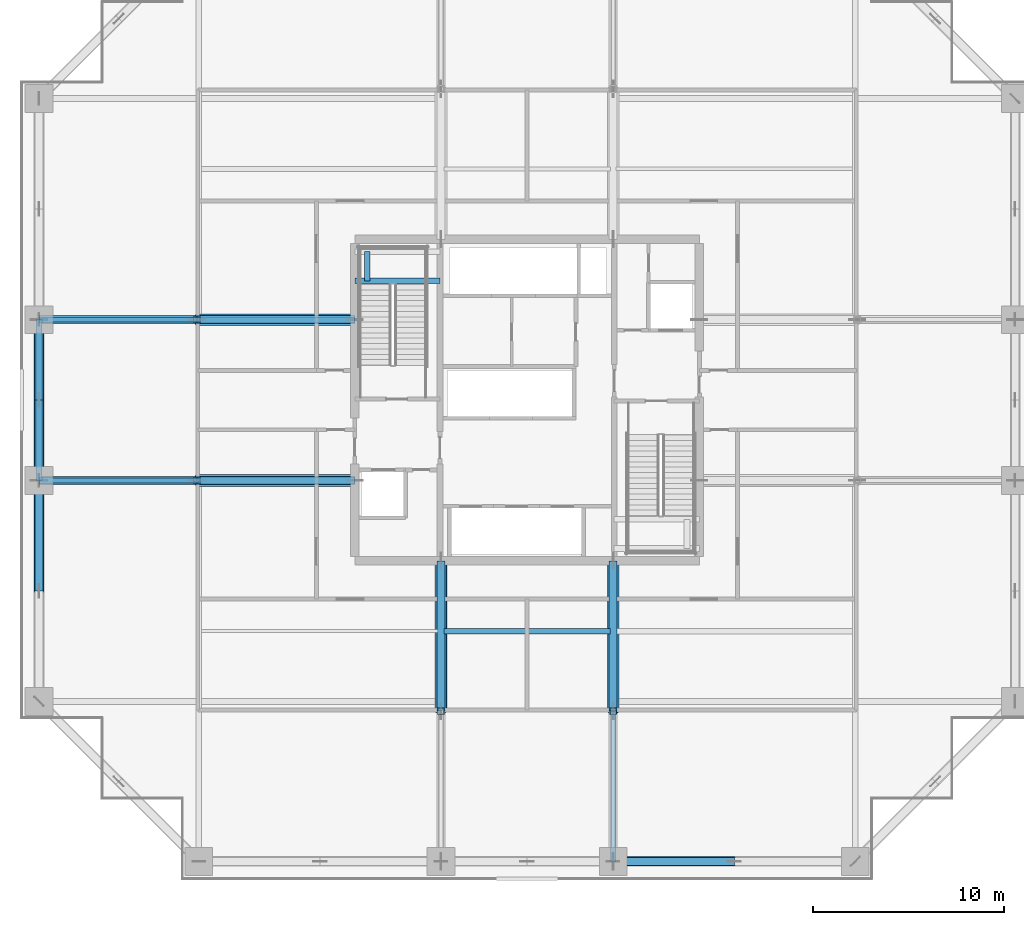
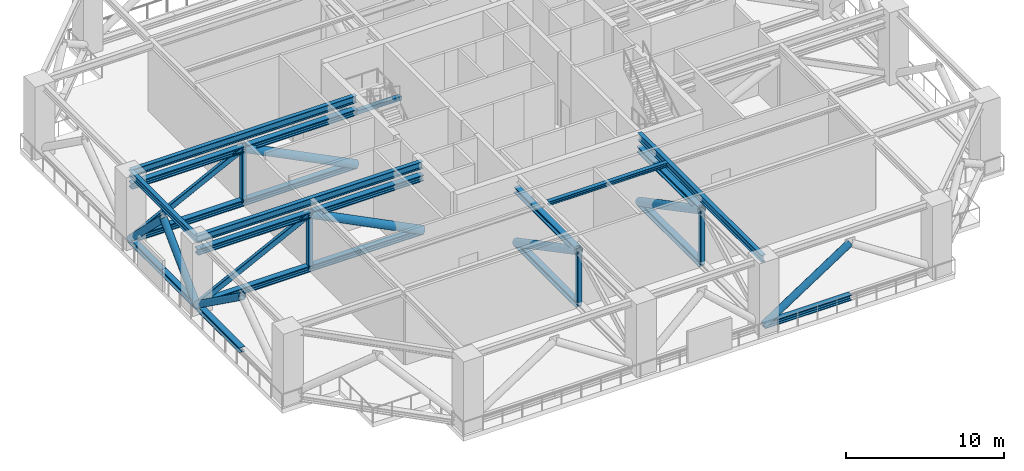
# One storey, part 2 of 21: 30 members, 7 beams.
"""IFC4 building model written with IfcOpenShell, lengths in metres."""

import ifcopenshell
import ifcopenshell.guid

model = None  # the IFC model being written
_history = None  # IfcOwnerHistory: only IFC2X3 demands one
_inside = {}  # id of a spatial element -> (the spatial element, [elements in it])
_under = {}  # id of a project, library or spatial element -> (it, [spatial elements below it])
_declared = {}  # id of a project -> (the project, [libraries it declares])
_typed = {}  # id of a type object -> (the type object, [elements of that type])
_made_of = {}  # id of a material, layer set ... -> (it, [elements and type objects made of it])


def new_model(schema):
    """Start an empty IFC model of exactly this schema.

    Asked for "IFC4X3", IfcOpenShell would pick the latest addendum, in which some entities
    have other attributes; the version numbers below select the first issue.
    IFC2X3 requires an IfcOwnerHistory on every rooted entity: one is made here for all.
    """
    global model, _history
    if schema == "IFC4X3":
        model = ifcopenshell.file(schema_version=(4, 3, 0, 0))
    else:
        model = ifcopenshell.file(schema=schema)
    _inside.clear()
    _under.clear()
    _declared.clear()
    _typed.clear()
    _made_of.clear()
    _history = None
    if model.schema == "IFC2X3":
        org = make("IfcOrganization", Name="unknown")
        user = make(
            "IfcPersonAndOrganization",
            ThePerson=make("IfcPerson", FamilyName="unknown"),
            TheOrganization=org,
        )
        app = make(
            "IfcApplication",
            ApplicationDeveloper=org,
            Version="unknown",
            ApplicationFullName="unknown",
            ApplicationIdentifier="unknown",
        )
        _history = make(
            "IfcOwnerHistory",
            OwningUser=user,
            OwningApplication=app,
            ChangeAction="ADDED",
            CreationDate=0,
        )
    return model


def make(cls, **values):
    """One entity of the class cls with the attributes given. An attribute that is None is left unset."""
    return model.create_entity(
        cls, **{name: value for name, value in values.items() if value is not None}
    )


def rooted(cls, **values):
    """An entity with a GlobalId (a new one), such as an element, a storey or a relation."""
    return make(cls, GlobalId=ifcopenshell.guid.new(), OwnerHistory=_history, **values)


def si_unit(unit_type, name, prefix=None):
    """IfcSIUnit, for example si_unit("LENGTHUNIT", "METRE", prefix="MILLI")."""
    return make("IfcSIUnit", UnitType=unit_type, Prefix=prefix, Name=name)


def assignment(units):
    """IfcUnitAssignment: the units of a project."""
    return None if units is None else make("IfcUnitAssignment", Units=units)


def point(xyz):
    """IfcCartesianPoint."""
    return None if xyz is None else make("IfcCartesianPoint", Coordinates=xyz)


def direction(xyz):
    """IfcDirection."""
    return None if xyz is None else make("IfcDirection", DirectionRatios=xyz)


def frame(location, z_axis=None, x_axis=None):
    """IfcAxis2Placement3D, a coordinate frame: its origin and axes. An axis left out is left unset."""
    return make(
        "IfcAxis2Placement3D",
        Location=point(location),
        Axis=direction(z_axis),
        RefDirection=direction(x_axis),
    )


def frame_2d(location, x_axis=None):
    """IfcAxis2Placement2D, a coordinate frame in the plane: its origin and x axis."""
    return make(
        "IfcAxis2Placement2D", Location=point(location), RefDirection=direction(x_axis)
    )


def origin():
    """The frame at (0, 0, 0) with its axes left unset."""
    return frame((0.0, 0.0, 0.0))


def origin_2d():
    """The frame at (0, 0) in the plane with its x axis left unset."""
    return frame_2d((0.0, 0.0))


def place(relative_to, where):
    """IfcLocalPlacement: puts the frame where relative to a parent placement (None: the world)."""
    return make(
        "IfcLocalPlacement", PlacementRelTo=relative_to, RelativePlacement=where
    )


def context(
    kind, dimensions, precision=None, world=None, true_north=None, identifier=None
):
    """IfcGeometricRepresentationContext, for example the 3D "Model" context."""
    return make(
        "IfcGeometricRepresentationContext",
        ContextIdentifier=identifier,
        ContextType=kind,
        CoordinateSpaceDimension=dimensions,
        Precision=precision,
        WorldCoordinateSystem=world,
        TrueNorth=true_north,
    )


def subcontext(parent, identifier, kind, view, scale=None):
    """IfcGeometricRepresentationSubContext, for example "Body" below "Model"."""
    return make(
        "IfcGeometricRepresentationSubContext",
        ContextIdentifier=identifier,
        ContextType=kind,
        ParentContext=parent,
        TargetScale=scale,
        TargetView=view,
    )


def project(units=None, contexts=None):
    """IfcProject with its units and contexts."""
    return rooted(
        "IfcProject",
        Name="project",
        RepresentationContexts=contexts,
        UnitsInContext=assignment(units),
    )


def spatial(cls, under=None, at=None, **own):
    """A site, building, storey or space (cls), placed at a placement, below another one or the project."""
    s = rooted(cls, ObjectPlacement=at, **own)
    if under is not None:
        _under.setdefault(under.id(), (under, []))[1].append(s)
    return s


def profile(cls, at=None, kind="AREA", **sizes):
    """A parametric profile (cls). Its sizes go by their IFC names, for example OverallWidth=200.0."""
    return make(cls, ProfileType=kind, Position=at, **sizes)


def rectangle(**sizes):
    """IfcRectangleProfileDef."""
    return profile("IfcRectangleProfileDef", **sizes)


def hollow_rectangle(**sizes):
    """IfcRectangleHollowProfileDef."""
    return profile("IfcRectangleHollowProfileDef", **sizes)


def hollow_circle(**sizes):
    """IfcCircleHollowProfileDef."""
    return profile("IfcCircleHollowProfileDef", **sizes)


def i_section(**sizes):
    """IfcIShapeProfileDef."""
    return profile("IfcIShapeProfileDef", **sizes)


def extrude(swept, where, along, depth):
    """IfcExtrudedAreaSolid: the profile swept, set in the frame where, extruded along a direction by depth."""
    return make(
        "IfcExtrudedAreaSolid",
        SweptArea=swept,
        Position=where,
        ExtrudedDirection=direction(along),
        Depth=depth,
    )


def shape(context_of_items, identifier, shape_type, items):
    """IfcShapeRepresentation: the items that make up one representation, for example the "Body"."""
    return make(
        "IfcShapeRepresentation",
        ContextOfItems=context_of_items,
        RepresentationIdentifier=identifier,
        RepresentationType=shape_type,
        Items=items,
    )


def source(mapping_origin, context_of_items, identifier, shape_type, items):
    """IfcRepresentationMap: a shape defined once, which mapped items show again and again."""
    return make(
        "IfcRepresentationMap",
        MappingOrigin=mapping_origin,
        MappedRepresentation=shape(context_of_items, identifier, shape_type, items),
    )


def transform(
    local_origin,
    x_axis=None,
    y_axis=None,
    z_axis=None,
    scale=None,
    scale2=None,
    scale3=None,
    uniform=True,
):
    """IfcCartesianTransformationOperator3D, or its non-uniform kind. x_axis, y_axis, z_axis: its Axis1, 2, 3."""
    if uniform:
        return make(
            "IfcCartesianTransformationOperator3D",
            Axis1=direction(x_axis),
            Axis2=direction(y_axis),
            LocalOrigin=point(local_origin),
            Scale=scale,
            Axis3=direction(z_axis),
        )
    return make(
        "IfcCartesianTransformationOperator3DnonUniform",
        Axis1=direction(x_axis),
        Axis2=direction(y_axis),
        LocalOrigin=point(local_origin),
        Scale=scale,
        Axis3=direction(z_axis),
        Scale2=scale2,
        Scale3=scale3,
    )


def mapped(mapping_source, mapping_target):
    """IfcMappedItem: shows the shape of a source again, moved by a transform."""
    return make(
        "IfcMappedItem", MappingSource=mapping_source, MappingTarget=mapping_target
    )


def material(Name=None, Category=None):
    """IfcMaterial."""
    return make("IfcMaterial", Name=Name, Category=Category)


def material_profile(
    of_material, cross_section, Name=None, Category=None, Priority=None
):
    """IfcMaterialProfile: a cross section and its material."""
    return make(
        "IfcMaterialProfile",
        Name=Name,
        Material=of_material,
        Profile=cross_section,
        Priority=Priority,
        Category=Category,
    )


def profile_set(profiles, Name=None, composite=None):
    """IfcMaterialProfileSet."""
    return make(
        "IfcMaterialProfileSet",
        Name=Name,
        MaterialProfiles=profiles,
        CompositeProfile=composite,
    )


def made_of(thing, what):
    """Note that an element or type object is made of a material, layer set ...; save() writes the relation."""
    if what is not None:
        _made_of.setdefault(what.id(), (what, []))[1].append(thing)
    return thing


def type_object(cls, material=None, **own):
    """A type object (cls), such as IfcWallType, which elements share."""
    return made_of(rooted(cls, **own), material)


def element(
    cls,
    number,
    at=None,
    inside=None,
    cuts=None,
    type_object=None,
    material=None,
    context=None,
    identifier="Body",
    shape_type=None,
    held_by="IfcProductDefinitionShape",
    body=None,
    shapes=None,
    **own,
):
    """One element of the class cls, such as IfcWall. Its Tag is "e" and its number.

    at: its placement. inside: the storey or other place that contains it. cuts: it is an
    opening in that element (IfcRelVoidsElement). A single representation is given by context,
    identifier, shape_type and body (its items); several are given by shapes. held_by: the class
    of the entity that holds the representations. save() writes the other relations.
    """
    e = rooted(cls, Tag="e%d" % number, ObjectPlacement=at, **own)
    if body is not None:
        shapes = [shape(context, identifier, shape_type, body)]
    if shapes is not None:
        e.Representation = make(held_by, Representations=shapes)
    if inside is not None:
        _inside.setdefault(inside.id(), (inside, []))[1].append(e)
    if cuts is not None:
        rooted(
            "IfcRelVoidsElement", RelatingBuildingElement=cuts, RelatedOpeningElement=e
        )
    if type_object is not None:
        _typed.setdefault(type_object.id(), (type_object, []))[1].append(e)
    return made_of(e, material)


def aggregate(whole, parts):
    """IfcRelAggregates: a whole, such as a stair, and the parts it consists of."""
    return rooted("IfcRelAggregates", RelatingObject=whole, RelatedObjects=parts)


def save(model, path):
    """Write the relations noted so far, then the file.

    IfcRelAggregates (storeys below a building ...), IfcRelContainedInSpatialStructure (elements
    in a storey), IfcRelDefinesByType, IfcRelAssociatesMaterial and IfcRelDeclares: one each for
    every whole, place, type object, material and project.
    """
    for whole, parts in _under.values():
        aggregate(whole, parts)
    for where, things in _inside.values():
        rooted(
            "IfcRelContainedInSpatialStructure",
            RelatedElements=things,
            RelatingStructure=where,
        )
    for kind, things in _typed.values():
        rooted("IfcRelDefinesByType", RelatedObjects=things, RelatingType=kind)
    for what, things in _made_of.values():
        rooted("IfcRelAssociatesMaterial", RelatedObjects=things, RelatingMaterial=what)
    for by, libraries in _declared.values():
        rooted("IfcRelDeclares", RelatingContext=by, RelatedDefinitions=libraries)
    model.write(path)


model = new_model("IFC4")

# Units and contexts
model_context = context("Model", 3, precision=1e-05, world=origin(), true_north=direction((0.0, 1.0)))
body_context = subcontext(model_context, "Body", "Model", "MODEL_VIEW")
ifc_project = project(units=[si_unit("LENGTHUNIT", "METRE"), si_unit("AREAUNIT", "SQUARE_METRE"), si_unit("VOLUMEUNIT", "CUBIC_METRE"), si_unit("PLANEANGLEUNIT", "RADIAN"), si_unit("MASSUNIT", "GRAM", prefix="KILO")], contexts=[model_context])

# Site, building, storey
site_placement = place(None, origin())
site = spatial("IfcSite", under=ifc_project, at=site_placement, CompositionType="ELEMENT")
building_placement = place(site_placement, origin())
building = spatial("IfcBuilding", under=site, at=building_placement, Name="Serunith Strait Residences", CompositionType="ELEMENT")
storey_placement = place(building_placement, frame((0.0, 0.0, 109.199951171875)))
storey = spatial("IfcBuildingStorey", under=building, at=storey_placement, Name="L27", CompositionType="ELEMENT", Elevation=109.199951171875)

# Beams
ifc_material_1 = material(Name="Steel S355J2", Category="steel")
ifc_material_profile_1 = material_profile(ifc_material_1, i_section(OverallWidth=0.300048828125, OverallDepth=0.550048828125, WebThickness=0.014892578125, FlangeThickness=0.029052734375, FilletRadius=0.027099609375, at=origin_2d()), Name="HEB 550")
ifc_profile_set_1 = profile_set([ifc_material_profile_1], Name="Steel S355J2")
beam_type_1 = type_object("IfcBeamType", Name="BM-HEB550", PredefinedType="BEAM", material=ifc_profile_set_1)
shared_shape_1 = source(origin(), body_context, "Body", "SweptSolid", [
    extrude(i_section(OverallWidth=0.300048828125, OverallDepth=0.550048828125, WebThickness=0.014892578125, FlangeThickness=0.029052734375, FilletRadius=0.027099609375, at=origin_2d()), origin(), (0.0, 0.0, 1.0), 15.699951171875),
])
beam_1_placement = place(storey_placement, frame((36.89990234375, 16.800048828125, 5.362060546875), z_axis=(0.0, -1.0, 0.0), x_axis=(1.0, 0.0, 0.0)))
element("IfcBeam", 1, at=beam_1_placement, inside=storey, type_object=beam_type_1, Name="L27 Primary Floor Girder TC-S3", PredefinedType="BEAM", context=body_context, shape_type="MappedRepresentation", body=[
    mapped(shared_shape_1, transform((0.0, 0.0, 0.0), scale=1.0)),
])
shared_shape_2 = source(origin(), body_context, "Body", "SweptSolid", [
    extrude(i_section(OverallWidth=0.300048828125, OverallDepth=0.550048828125, WebThickness=0.014892578125, FlangeThickness=0.029052734375, FilletRadius=0.027099609375, at=origin_2d()), origin(), (0.0, 0.0, 1.0), 16.5),
])
for number, where, z_axis, x_axis, name in (
    (2, (23.39990234375, 21.0, 5.362060546875), (-1.0, 0.0, 0.0), (0.0, -1.0, 0.0), "L27 Primary Floor Girder TC-W2"),
    (3, (23.39990234375, 29.39990234375, 5.362060546875), (-1.0, 0.0, 0.0), (0.0, -1.0, 0.0), "L27 Primary Floor Girder TC-W3"),
):
    element("IfcBeam", number, at=place(storey_placement, frame(where, z_axis=z_axis, x_axis=x_axis)), inside=storey, type_object=beam_type_1, Name=name, PredefinedType="BEAM", context=body_context, shape_type="MappedRepresentation", body=[
        mapped(shared_shape_2, transform((0.0, 0.0, 0.0), scale=1.0)),
    ])
ifc_material_profile_2 = material_profile(ifc_material_1, i_section(OverallWidth=0.300048828125, OverallDepth=0.5, WebThickness=0.014404296875, FlangeThickness=0.028076171875, FilletRadius=0.027099609375, at=origin_2d()), Name="HEB 500")
ifc_profile_set_2 = profile_set([ifc_material_profile_2], Name="Steel S355J2")
beam_type_2 = type_object("IfcBeamType", Name="BM-HEB500", PredefinedType="BEAM", material=ifc_profile_set_2)
shared_shape_3 = source(origin(), body_context, "Body", "SweptSolid", [
    extrude(i_section(OverallWidth=0.300048828125, OverallDepth=0.5, WebThickness=0.014404296875, FlangeThickness=0.028076171875, FilletRadius=0.027099609375, at=origin_2d()), origin(), (0.0, 0.0, 1.0), 8.39990234375),
])
beam_2_placement = place(storey_placement, frame((6.89990234375, 29.39990234375, 5.386962890625), z_axis=(0.0, -1.0, 0.0), x_axis=(1.0, 0.0, 0.0)))
element("IfcBeam", 4, at=beam_2_placement, inside=storey, type_object=beam_type_2, Name="L27 Perimeter Ring Beam 14", PredefinedType="BEAM", context=body_context, shape_type="MappedRepresentation", body=[
    mapped(shared_shape_3, transform((0.0, 0.0, 0.0), scale=1.0)),
])
ifc_material_profile_3 = material_profile(ifc_material_1, i_section(OverallWidth=0.300048828125, OverallDepth=0.300048828125, WebThickness=0.010986328125, FlangeThickness=0.01904296875, FilletRadius=0.027099609375, at=origin_2d()), Name="HEB 300")
ifc_profile_set_3 = profile_set([ifc_material_profile_3], Name="Steel S355J2")
beam_type_3 = type_object("IfcBeamType", Name="BM-HEB300", PredefinedType="JOIST", material=ifc_profile_set_3)
shared_shape_4 = source(origin(), body_context, "Body", "SweptSolid", [
    extrude(i_section(OverallWidth=0.300048828125, OverallDepth=0.300048828125, WebThickness=0.010986328125, FlangeThickness=0.01904296875, FilletRadius=0.027099609375, at=origin_2d()), origin(), (0.0, 0.0, 1.0), 8.699951171875),
])
beam_3_placement = place(storey_placement, frame((28.050048828125, 13.125, 5.487060546875), z_axis=(1.0, 0.0, 0.0), x_axis=(0.0, 1.0, 0.0)))
element("IfcBeam", 5, at=beam_3_placement, inside=storey, type_object=beam_type_3, Name="L27 Composite Floor Joist 02", PredefinedType="JOIST", context=body_context, shape_type="MappedRepresentation", body=[
    mapped(shared_shape_4, transform((0.0, 0.0, 0.0), scale=1.0)),
])

# Members
ifc_material_2 = material(Name="Steel S460M", Category="steel")
ifc_material_profile_4 = material_profile(ifc_material_2, i_section(OverallWidth=0.41796875, OverallDepth=0.455078125, WebThickness=0.0419921875, FlangeThickness=0.067626953125, FilletRadius=0.014892578125, at=origin_2d()), Name="HD 400x551")
ifc_profile_set_4 = profile_set([ifc_material_profile_4], Name="Steel S460M")
member_type_1 = type_object("IfcMemberType", Name="MBR-CHORD-HD551", PredefinedType="CHORD", material=ifc_profile_set_4)
shared_shape_5 = source(origin(), body_context, "Body", "SweptSolid", [
    extrude(i_section(OverallWidth=0.41796875, OverallDepth=0.455078125, WebThickness=0.0419921875, FlangeThickness=0.067626953125, FilletRadius=0.014892578125, at=origin_2d()), origin(), (0.0, 0.0, 1.0), 7.85009765625),
])
for number, where, z_axis, x_axis, name in (
    (6, (27.89990234375, 16.800048828125, 0.25), (0.0, -1.0, 0.0), (1.0, 0.0, 0.0), "L27 Outrigger Arm 1 Bottom Chord 1"),
    (7, (27.89990234375, 16.800048828125, 4.39013671875), (0.0, -1.0, 0.0), (1.0, 0.0, 0.0), "L27 Outrigger Arm 1 Top Chord 1"),
    (8, (36.89990234375, 16.800048828125, 0.25), (0.0, -1.0, 0.0), (1.0, 0.0, 0.0), "L27 Outrigger Arm 2 Bottom Chord 1"),
    (9, (36.89990234375, 16.800048828125, 4.39013671875), (0.0, -1.0, 0.0), (1.0, 0.0, 0.0), "L27 Outrigger Arm 2 Top Chord 1"),
):
    element("IfcMember", number, at=place(storey_placement, frame(where, z_axis=z_axis, x_axis=x_axis)), inside=storey, type_object=member_type_1, Name=name, PredefinedType="CHORD", context=body_context, shape_type="MappedRepresentation", body=[
        mapped(shared_shape_5, transform((0.0, 0.0, 0.0), scale=1.0)),
    ])
ifc_material_profile_5 = material_profile(ifc_material_2, hollow_rectangle(XDim=0.35009765625, YDim=0.35009765625, WallThickness=0.01611328125, InnerFilletRadius=0.02392578125, OuterFilletRadius=0.0400390625, at=origin_2d()), Name="SHS 350x350x16")
ifc_profile_set_5 = profile_set([ifc_material_profile_5], Name="Steel S460M")
member_type_2 = type_object("IfcMemberType", Name="MBR-STRUT-SHS350", PredefinedType="STRUT", material=ifc_profile_set_5)
shared_shape_6 = source(origin(), body_context, "Body", "SweptSolid", [
    extrude(hollow_rectangle(XDim=0.35009765625, YDim=0.35009765625, WallThickness=0.01611328125, InnerFilletRadius=0.02392578125, OuterFilletRadius=0.0400390625, at=origin_2d()), origin(), (0.0, 0.0, 1.0), 4.14013671875),
])
for number, where, z_axis, x_axis, name in (
    (10, (27.89990234375, 8.949951171875, 0.25), (0.0, 0.0, 1.0), (1.0, 0.0, 0.0), "L27 Outrigger Arm 1 Mid Post"),
    (11, (36.89990234375, 8.949951171875, 0.25), (0.0, 0.0, 1.0), (1.0, 0.0, 0.0), "L27 Outrigger Arm 2 Mid Post"),
    (12, (15.14990234375, 21.0, 0.25), (0.0, 0.0, 1.0), (1.0, 0.0, 0.0), "L27 Outrigger Arm 7 Mid Post"),
    (13, (15.14990234375, 29.39990234375, 0.25), (0.0, 0.0, 1.0), (1.0, 0.0, 0.0), "L27 Outrigger Arm 8 Mid Post"),
):
    element("IfcMember", number, at=place(storey_placement, frame(where, z_axis=z_axis, x_axis=x_axis)), inside=storey, type_object=member_type_2, Name=name, PredefinedType="STRUT", context=body_context, shape_type="MappedRepresentation", body=[
        mapped(shared_shape_6, transform((0.0, 0.0, 0.0), scale=1.0)),
    ])
ifc_material_profile_6 = material_profile(ifc_material_2, hollow_circle(Radius=0.304931640625, WallThickness=0.02490234375, at=origin_2d()), Name="CHS 610x25")
ifc_profile_set_6 = profile_set([ifc_material_profile_6], Name="Steel S460M")
member_type_3 = type_object("IfcMemberType", Name="MBR-DIAG-CHS610", PredefinedType="BRACE", material=ifc_profile_set_6)
shared_shape_7 = source(origin(), body_context, "Body", "SweptSolid", [
    extrude(hollow_circle(Radius=0.304931640625, WallThickness=0.02490234375, at=origin_2d()), origin(), (0.0, 0.0, 1.0), 8.875),
])
for number, where, z_axis, x_axis, name in (
    (14, (27.89990234375, 16.800048828125, 0.25), (0.0, -0.884522873131, 0.466496824114), (1.0, 0.0, 0.0), "L27 Outrigger Arm 1 Inner Diagonal"),
    (15, (36.89990234375, 16.800048828125, 0.25), (0.0, -0.884522873131, 0.466496824114), (1.0, 0.0, 0.0), "L27 Outrigger Arm 2 Inner Diagonal"),
):
    element("IfcMember", number, at=place(storey_placement, frame(where, z_axis=z_axis, x_axis=x_axis)), inside=storey, type_object=member_type_3, Name=name, PredefinedType="BRACE", context=body_context, shape_type="MappedRepresentation", body=[
        mapped(shared_shape_7, transform((0.0, 0.0, 0.0), scale=1.0)),
    ])
shared_shape_8 = source(origin(), body_context, "Body", "SweptSolid", [
    extrude(i_section(OverallWidth=0.41796875, OverallDepth=0.455078125, WebThickness=0.0419921875, FlangeThickness=0.067626953125, FilletRadius=0.014892578125, at=origin_2d()), origin(), (0.0, 0.0, 1.0), 8.25),
])
for number, where, z_axis, x_axis, name in (
    (16, (23.39990234375, 21.0, 0.25), (-1.0, 0.0, 0.0), (0.0, -1.0, 0.0), "L27 Outrigger Arm 7 Bottom Chord 1"),
    (17, (23.39990234375, 21.0, 4.39013671875), (-1.0, 0.0, 0.0), (0.0, -1.0, 0.0), "L27 Outrigger Arm 7 Top Chord 1"),
    (18, (15.14990234375, 21.0, 0.25), (-1.0, 0.0, 0.0), (0.0, -1.0, 0.0), "L27 Outrigger Arm 7 Bottom Chord 2"),
    (19, (15.14990234375, 21.0, 4.39013671875), (-1.0, 0.0, 0.0), (0.0, -1.0, 0.0), "L27 Outrigger Arm 7 Top Chord 2"),
    (20, (23.39990234375, 29.39990234375, 0.25), (-1.0, 0.0, 0.0), (0.0, -1.0, 0.0), "L27 Outrigger Arm 8 Bottom Chord 1"),
    (21, (23.39990234375, 29.39990234375, 4.39013671875), (-1.0, 0.0, 0.0), (0.0, -1.0, 0.0), "L27 Outrigger Arm 8 Top Chord 1"),
    (22, (15.14990234375, 29.39990234375, 0.25), (-1.0, 0.0, 0.0), (0.0, -1.0, 0.0), "L27 Outrigger Arm 8 Bottom Chord 2"),
    (23, (15.14990234375, 29.39990234375, 4.39013671875), (-1.0, 0.0, 0.0), (0.0, -1.0, 0.0), "L27 Outrigger Arm 8 Top Chord 2"),
):
    element("IfcMember", number, at=place(storey_placement, frame(where, z_axis=z_axis, x_axis=x_axis)), inside=storey, type_object=member_type_1, Name=name, PredefinedType="CHORD", context=body_context, shape_type="MappedRepresentation", body=[
        mapped(shared_shape_8, transform((0.0, 0.0, 0.0), scale=1.0)),
    ])
shared_shape_9 = source(origin(), body_context, "Body", "SweptSolid", [
    extrude(hollow_circle(Radius=0.304931640625, WallThickness=0.02490234375, at=origin_2d()), origin(), (0.0, 0.0, 1.0), 9.23046875),
])
for number, where, z_axis, x_axis, name in (
    (24, (23.39990234375, 21.0, 0.25), (-0.893770289547, 0.0, 0.448524993198), (0.0, -1.0, 0.0), "L27 Outrigger Arm 7 Inner Diagonal"),
    (25, (23.39990234375, 29.39990234375, 0.25), (-0.893770289547, 0.0, 0.448524993198), (0.0, -1.0, 0.0), "L27 Outrigger Arm 8 Inner Diagonal"),
):
    element("IfcMember", number, at=place(storey_placement, frame(where, z_axis=z_axis, x_axis=x_axis)), inside=storey, type_object=member_type_3, Name=name, PredefinedType="BRACE", context=body_context, shape_type="MappedRepresentation", body=[
        mapped(shared_shape_9, transform((0.0, 0.0, 0.0), scale=1.0)),
    ])
ifc_material_profile_7 = material_profile(ifc_material_2, hollow_rectangle(XDim=0.25, YDim=0.449951171875, WallThickness=0.01611328125, InnerFilletRadius=0.02392578125, OuterFilletRadius=0.0400390625, at=origin_2d()), Name="RHS 450x250x16")
ifc_profile_set_7 = profile_set([ifc_material_profile_7], Name="Steel S460M")
member_type_4 = type_object("IfcMemberType", Name="MBR-BRACE-RHS450", PredefinedType="BRACE", material=ifc_profile_set_7)
shared_shape_10 = source(origin(), body_context, "Body", "SweptSolid", [
    extrude(hollow_rectangle(XDim=0.25, YDim=0.449951171875, WallThickness=0.01611328125, InnerFilletRadius=0.02392578125, OuterFilletRadius=0.0400390625, at=origin_2d()), origin(), (0.0, 0.0, 1.0), 9.23046875),
])
for number, where, z_axis, x_axis, name in (
    (26, (15.14990234375, 21.0, 4.39013671875), (-0.893770289547, 0.0, -0.448524993198), (0.0, -1.0, 0.0), "L27 Outrigger Arm 7 Outer Diagonal"),
    (27, (15.14990234375, 29.39990234375, 4.39013671875), (-0.893770289547, 0.0, -0.448524993198), (0.0, -1.0, 0.0), "L27 Outrigger Arm 8 Outer Diagonal"),
):
    element("IfcMember", number, at=place(storey_placement, frame(where, z_axis=z_axis, x_axis=x_axis)), inside=storey, type_object=member_type_4, Name=name, PredefinedType="BRACE", context=body_context, shape_type="MappedRepresentation", body=[
        mapped(shared_shape_10, transform((0.0, 0.0, 0.0), scale=1.0)),
    ])
ifc_material_profile_8 = material_profile(ifc_material_2, hollow_circle(Radius=0.25390625, WallThickness=0.02001953125, at=origin_2d()), Name="CHS 508x20")
ifc_profile_set_8 = profile_set([ifc_material_profile_8], Name="Steel S460M")
member_type_5 = type_object("IfcMemberType", Name="MBR-DIAG-CHS508", PredefinedType="BRACE", material=ifc_profile_set_8)
shared_shape_11 = source(origin(), body_context, "Body", "SweptSolid", [
    extrude(hollow_circle(Radius=0.25390625, WallThickness=0.02001953125, at=origin_2d()), origin(), (0.0, 0.0, 1.0), 7.5595703125),
])
member_1_placement = place(storey_placement, frame((36.89990234375, 1.10009765625, 0.25), z_axis=(0.836700978767, 0.0, 0.547659996832), x_axis=(0.0, 1.0, 0.0)))
element("IfcMember", 28, at=member_1_placement, inside=storey, type_object=member_type_5, Name="L27 Belt Truss Bay 03 Diagonal 1", PredefinedType="BRACE", context=body_context, shape_type="MappedRepresentation", body=[
    mapped(shared_shape_11, transform((0.0, 0.0, 0.0), scale=1.0)),
])
ifc_material_profile_9 = material_profile(ifc_material_2, i_section(OverallWidth=0.406005859375, OverallDepth=0.416015625, WebThickness=0.02978515625, FlangeThickness=0.048095703125, FilletRadius=0.014892578125, at=origin_2d()), Name="HD 400x382")
ifc_profile_set_9 = profile_set([ifc_material_profile_9], Name="Steel S460M")
member_type_6 = type_object("IfcMemberType", Name="MBR-CHORD-HD382", PredefinedType="CHORD", material=ifc_profile_set_9)
shared_shape_12 = source(origin(), body_context, "Body", "SweptSolid", [
    extrude(i_section(OverallWidth=0.406005859375, OverallDepth=0.416015625, WebThickness=0.02978515625, FlangeThickness=0.048095703125, FilletRadius=0.014892578125, at=origin_2d()), origin(), (0.0, 0.0, 1.0), 6.3251953125),
])
member_2_placement = place(storey_placement, frame((36.89990234375, 1.10009765625, 0.25), z_axis=(1.0, 0.0, 0.0), x_axis=(0.0, 1.0, 0.0)))
element("IfcMember", 29, at=member_2_placement, inside=storey, type_object=member_type_6, Name="L27 Belt Truss Bay 03 Chord A", PredefinedType="CHORD", context=body_context, shape_type="MappedRepresentation", body=[
    mapped(shared_shape_12, transform((0.0, 0.0, 0.0), scale=1.0)),
])
shared_shape_13 = source(origin(), body_context, "Body", "SweptSolid", [
    extrude(i_section(OverallWidth=0.406005859375, OverallDepth=0.416015625, WebThickness=0.02978515625, FlangeThickness=0.048095703125, FilletRadius=0.014892578125, at=origin_2d()), origin(), (0.0, 0.0, 1.0), 5.77490234375),
])
member_3_placement = place(storey_placement, frame((6.89990234375, 21.0, 0.25), z_axis=(0.0, -1.0, 0.0), x_axis=(1.0, 0.0, 0.0)))
element("IfcMember", 30, at=member_3_placement, inside=storey, type_object=member_type_6, Name="L27 Belt Truss Bay 15 Chord A", PredefinedType="CHORD", context=body_context, shape_type="MappedRepresentation", body=[
    mapped(shared_shape_13, transform((0.0, 0.0, 0.0), scale=1.0)),
])
shared_shape_14 = source(origin(), body_context, "Body", "SweptSolid", [
    extrude(hollow_circle(Radius=0.25390625, WallThickness=0.02001953125, at=origin_2d()), origin(), (0.0, 0.0, 1.0), 7.105712890625),
])
member_4_placement = place(storey_placement, frame((6.89990234375, 21.0, 0.25), z_axis=(0.0, -0.812720049413, 0.582654375494), x_axis=(1.0, 0.0, 0.0)))
element("IfcMember", 31, at=member_4_placement, inside=storey, type_object=member_type_5, Name="L27 Belt Truss Bay 15 Diagonal 1", PredefinedType="BRACE", context=body_context, shape_type="MappedRepresentation", body=[
    mapped(shared_shape_14, transform((0.0, 0.0, 0.0), scale=1.0)),
])
shared_shape_15 = source(origin(), body_context, "Body", "SweptSolid", [
    extrude(i_section(OverallWidth=0.406005859375, OverallDepth=0.416015625, WebThickness=0.02978515625, FlangeThickness=0.048095703125, FilletRadius=0.014892578125, at=origin_2d()), origin(), (0.0, 0.0, 1.0), 4.199951171875),
])
for number, where, z_axis, x_axis, name in (
    (32, (6.89990234375, 29.39990234375, 0.25), (0.0, -1.0, 0.0), (1.0, 0.0, 0.0), "L27 Belt Truss Bay 14 Chord A"),
    (33, (6.89990234375, 25.199951171875, 0.25), (0.0, -1.0, 0.0), (1.0, 0.0, 0.0), "L27 Belt Truss Bay 14 Chord B"),
):
    element("IfcMember", number, at=place(storey_placement, frame(where, z_axis=z_axis, x_axis=x_axis)), inside=storey, type_object=member_type_6, Name=name, PredefinedType="CHORD", context=body_context, shape_type="MappedRepresentation", body=[
        mapped(shared_shape_15, transform((0.0, 0.0, 0.0), scale=1.0)),
    ])
shared_shape_16 = source(origin(), body_context, "Body", "SweptSolid", [
    extrude(hollow_circle(Radius=0.25390625, WallThickness=0.02001953125, at=origin_2d()), origin(), (0.0, 0.0, 1.0), 5.8974609375),
])
for number, where, z_axis, x_axis, name in (
    (34, (6.89990234375, 29.39990234375, 0.25), (0.0, -0.712159780048, 0.702017412663), (1.0, 0.0, 0.0), "L27 Belt Truss Bay 14 Diagonal 1"),
    (35, (6.89990234375, 21.0, 0.25), (0.0, 0.712159780048, 0.702017412663), (-1.0, 0.0, 0.0), "L27 Belt Truss Bay 14 Diagonal 2"),
):
    element("IfcMember", number, at=place(storey_placement, frame(where, z_axis=z_axis, x_axis=x_axis)), inside=storey, type_object=member_type_5, Name=name, PredefinedType="BRACE", context=body_context, shape_type="MappedRepresentation", body=[
        mapped(shared_shape_16, transform((0.0, 0.0, 0.0), scale=1.0)),
    ])

# Beams
ifc_material_3 = material(Name="Concrete C60/75", Category="concrete")
ifc_material_profile_10 = material_profile(ifc_material_3, rectangle(XDim=0.300048828125, YDim=0.300048828125, at=origin_2d()), Name="RC 300x300")
ifc_profile_set_10 = profile_set([ifc_material_profile_10], Name="Concrete C60/75")
beam_type_4 = type_object("IfcBeamType", Name="BM-LAND-300x300", PredefinedType="BEAM", material=ifc_profile_set_10)
shared_shape_17 = source(origin(), body_context, "Body", "SweptSolid", [
    extrude(rectangle(XDim=0.300048828125, YDim=0.300048828125, at=origin_2d()), origin(), (0.0, 0.0, 1.0), 4.4501953125),
])
beam_4_placement = place(storey_placement, frame((23.39990234375, 31.429931640625, 2.650146484375), z_axis=(1.0, 0.0, 0.0), x_axis=(0.0, 1.0, 0.0)))
element("IfcBeam", 36, at=beam_4_placement, inside=storey, type_object=beam_type_4, Name="L27 ST-1 Landing Support Beam 1", PredefinedType="BEAM", context=body_context, shape_type="MappedRepresentation", body=[
    mapped(shared_shape_17, transform((0.0, 0.0, 0.0), scale=1.0)),
])
shared_shape_18 = source(origin(), body_context, "Body", "SweptSolid", [
    extrude(rectangle(XDim=0.300048828125, YDim=0.300048828125, at=origin_2d()), origin(), (0.0, 0.0, 1.0), 1.52001953125),
])
beam_5_placement = place(storey_placement, frame((24.050048828125, 31.429931640625, 2.650146484375), z_axis=(0.0, 1.0, 0.0), x_axis=(-1.0, 0.0, 0.0)))
element("IfcBeam", 37, at=beam_5_placement, inside=storey, type_object=beam_type_4, Name="L27 ST-1 Landing Transverse Tie Beam", PredefinedType="BEAM", context=body_context, shape_type="MappedRepresentation", body=[
    mapped(shared_shape_18, transform((0.0, 0.0, 0.0), scale=1.0)),
])

save(model, "model.ifc")
